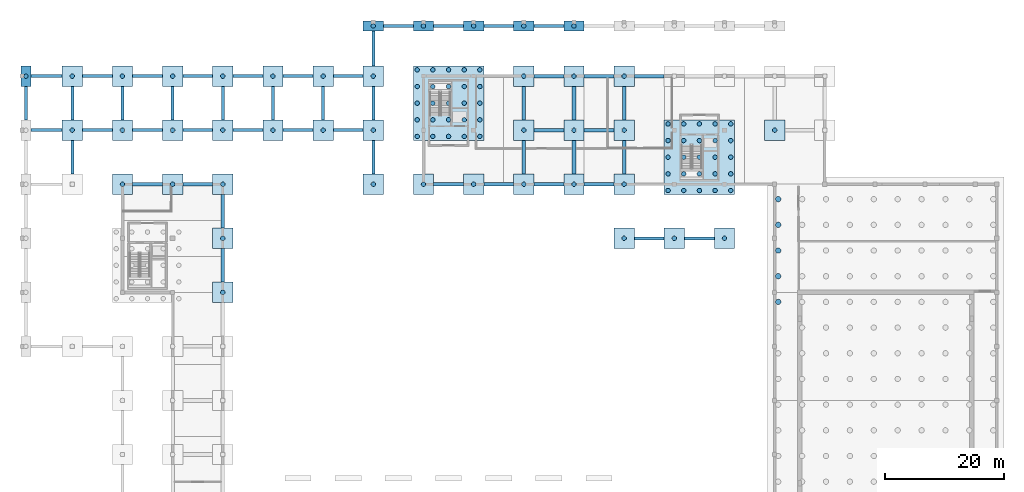
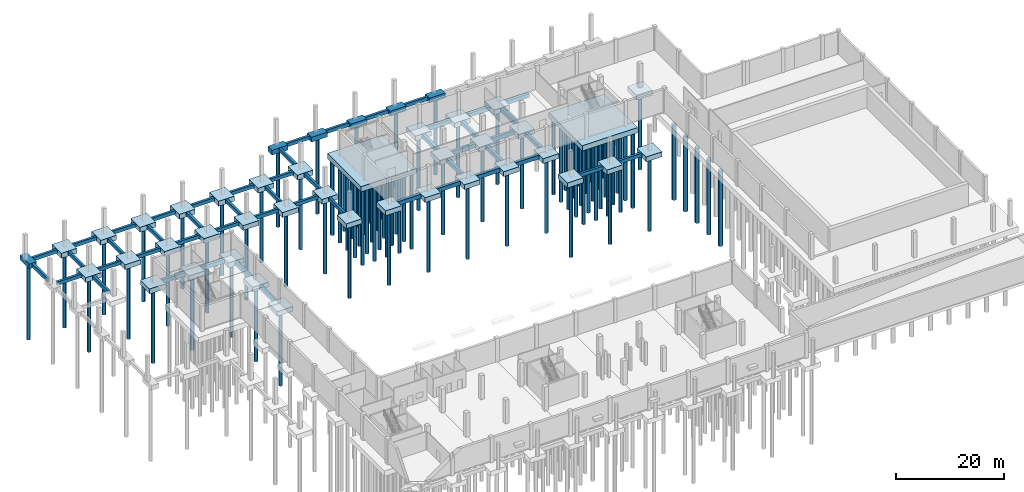
# One storey, part 3 of 18: 96 piles, 93 footings.
"""IFC4 building model written with IfcOpenShell, lengths in metres."""

from ifc_helpers import new_model, si_unit, direction, frame, origin, origin_2d, place, context, subcontext, project, spatial, rectangle, circle, extrude, material, layer, layer_set, material_profile, profile_set, type_object, element, save


model = new_model("IFC4")

# Units and contexts
model_context = context("Model", 3, precision=1e-05, world=origin(), true_north=direction((0.0, 1.0)))
body_context = subcontext(model_context, "Body", "Model", "MODEL_VIEW")
ifc_project = project(units=[si_unit("LENGTHUNIT", "METRE"), si_unit("AREAUNIT", "SQUARE_METRE"), si_unit("VOLUMEUNIT", "CUBIC_METRE"), si_unit("PLANEANGLEUNIT", "RADIAN"), si_unit("MASSUNIT", "GRAM", prefix="KILO")], contexts=[model_context])

# Site, building, storey
site_placement = place(None, origin())
site = spatial("IfcSite", under=ifc_project, at=site_placement, CompositionType="ELEMENT")
building_placement = place(site_placement, origin())
building = spatial("IfcBuilding", under=site, at=building_placement, Name="Khurvash Pelagic Aquarium", CompositionType="ELEMENT")
storey_placement = place(building_placement, frame((0.0, 0.0, -5.39990234375)))
storey = spatial("IfcBuildingStorey", under=building, at=storey_placement, Name="B1", CompositionType="ELEMENT", Elevation=-5.39990234375)

# Footings
ifc_material = material(Name="Concrete C35/45", Category="concrete")
ifc_layer_1 = layer(ifc_material, 0.800048828125)
ifc_layer_set_1 = layer_set([ifc_layer_1], Name="Concrete C35/45")
footing_type_1 = type_object("IfcFootingType", Name="GB-01", PredefinedType="FOOTING_BEAM", material=ifc_layer_set_1)
for number, where, z_axis, x_axis, name in (
    (1, (105.0, 75.0, -1.2001953125), (0.0, 0.0, 1.0), (1.0, 0.0, 0.0), "Reinforced Concrete Ground Tie Beam GB-01 077"),
    (2, (113.39990234375, 75.0, -1.2001953125), (0.0, 0.0, 1.0), (1.0, 0.0, 0.0), "Reinforced Concrete Ground Tie Beam GB-01 078"),
):
    element("IfcFooting", number, at=place(storey_placement, frame(where, z_axis=z_axis, x_axis=x_axis)), inside=storey, type_object=footing_type_1, Name=name, PredefinedType="FOOTING_BEAM", context=body_context, shape_type="SweptSolid", body=[
        extrude(rectangle(XDim=4.99609375, YDim=0.5, at=origin_2d()), origin(), (0.0, 0.0, 1.0), 0.800048828125),
    ])
footing_1_placement = place(storey_placement, frame((4.074951171875, 93.10009765625, -1.2001953125), z_axis=(0.0, 0.0, 1.0), x_axis=(1.0, 0.0, 0.0)))
element("IfcFooting", 3, at=footing_1_placement, inside=storey, type_object=footing_type_1, Name="Reinforced Concrete Ground Tie Beam GB-01 080", PredefinedType="FOOTING_BEAM", context=body_context, shape_type="SweptSolid", body=[
    extrude(rectangle(XDim=5.24609375, YDim=0.5, at=origin_2d()), origin(), (0.0, 0.0, 1.0), 0.800048828125),
])
for number, where, z_axis, x_axis, name in (
    (4, (12.60009765625, 93.10009765625, -1.2001953125), (0.0, 0.0, 1.0), (1.0, 0.0, 0.0), "Reinforced Concrete Ground Tie Beam GB-01 081"),
    (5, (21.0, 93.10009765625, -1.2001953125), (0.0, 0.0, 1.0), (1.0, 0.0, 0.0), "Reinforced Concrete Ground Tie Beam GB-01 082"),
    (6, (29.39990234375, 93.10009765625, -1.2001953125), (0.0, 0.0, 1.0), (1.0, 0.0, 0.0), "Reinforced Concrete Ground Tie Beam GB-01 083"),
    (7, (37.800048828125, 93.10009765625, -1.2001953125), (0.0, 0.0, 1.0), (1.0, 0.0, 0.0), "Reinforced Concrete Ground Tie Beam GB-01 084"),
    (8, (46.199951171875, 93.10009765625, -1.2001953125), (0.0, 0.0, 1.0), (1.0, 0.0, 0.0), "Reinforced Concrete Ground Tie Beam GB-01 085"),
    (9, (54.60009765625, 93.10009765625, -1.2001953125), (0.0, 0.0, 1.0), (1.0, 0.0, 0.0), "Reinforced Concrete Ground Tie Beam GB-01 086"),
):
    element("IfcFooting", number, at=place(storey_placement, frame(where, z_axis=z_axis, x_axis=x_axis)), inside=storey, type_object=footing_type_1, Name=name, PredefinedType="FOOTING_BEAM", context=body_context, shape_type="SweptSolid", body=[
        extrude(rectangle(XDim=4.99609375, YDim=0.5, at=origin_2d()), origin(), (0.0, 0.0, 1.0), 0.800048828125),
    ])
footing_2_placement = place(storey_placement, frame((4.074951171875, 102.14990234375, -1.2001953125), z_axis=(0.0, 0.0, 1.0), x_axis=(1.0, 0.0, 0.0)))
element("IfcFooting", 10, at=footing_2_placement, inside=storey, type_object=footing_type_1, Name="Reinforced Concrete Ground Tie Beam GB-01 087", PredefinedType="FOOTING_BEAM", context=body_context, shape_type="SweptSolid", body=[
    extrude(rectangle(XDim=5.24609375, YDim=0.5, at=origin_2d()), origin(), (0.0, 0.0, 1.0), 0.800048828125),
])
for number, where, z_axis, x_axis, name in (
    (11, (12.60009765625, 102.14990234375, -1.2001953125), (0.0, 0.0, 1.0), (1.0, 0.0, 0.0), "Reinforced Concrete Ground Tie Beam GB-01 088"),
    (12, (21.0, 102.14990234375, -1.2001953125), (0.0, 0.0, 1.0), (1.0, 0.0, 0.0), "Reinforced Concrete Ground Tie Beam GB-01 089"),
    (13, (29.39990234375, 102.14990234375, -1.2001953125), (0.0, 0.0, 1.0), (1.0, 0.0, 0.0), "Reinforced Concrete Ground Tie Beam GB-01 090"),
    (14, (37.800048828125, 102.14990234375, -1.2001953125), (0.0, 0.0, 1.0), (1.0, 0.0, 0.0), "Reinforced Concrete Ground Tie Beam GB-01 091"),
    (15, (46.199951171875, 102.14990234375, -1.2001953125), (0.0, 0.0, 1.0), (1.0, 0.0, 0.0), "Reinforced Concrete Ground Tie Beam GB-01 092"),
    (16, (54.60009765625, 102.14990234375, -1.2001953125), (0.0, 0.0, 1.0), (1.0, 0.0, 0.0), "Reinforced Concrete Ground Tie Beam GB-01 093"),
    (17, (63.0, 110.550048828125, -1.2001953125), (0.0, 0.0, 1.0), (1.0, 0.0, 0.0), "Reinforced Concrete Ground Tie Beam GB-01 094"),
    (18, (71.39990234375, 110.550048828125, -1.2001953125), (0.0, 0.0, 1.0), (1.0, 0.0, 0.0), "Reinforced Concrete Ground Tie Beam GB-01 095"),
    (19, (79.800048828125, 110.550048828125, -1.2001953125), (0.0, 0.0, 1.0), (1.0, 0.0, 0.0), "Reinforced Concrete Ground Tie Beam GB-01 096"),
    (20, (88.199951171875, 110.550048828125, -1.2001953125), (0.0, 0.0, 1.0), (1.0, 0.0, 0.0), "Reinforced Concrete Ground Tie Beam GB-01 097"),
):
    element("IfcFooting", number, at=place(storey_placement, frame(where, z_axis=z_axis, x_axis=x_axis)), inside=storey, type_object=footing_type_1, Name=name, PredefinedType="FOOTING_BEAM", context=body_context, shape_type="SweptSolid", body=[
        extrude(rectangle(XDim=4.99609375, YDim=0.5, at=origin_2d()), origin(), (0.0, 0.0, 1.0), 0.800048828125),
    ])
for number, where, z_axis, x_axis, name in (
    (21, (0.64990234375, 97.625, -1.2001953125), (0.0, 0.0, 1.0), (0.0, 1.0, 0.0), "Reinforced Concrete Ground Tie Beam GB-01 106"),
    (22, (8.39990234375, 88.574951171875, -1.2001953125), (0.0, 0.0, 1.0), (0.0, 1.0, 0.0), "Reinforced Concrete Ground Tie Beam GB-01 107"),
    (23, (8.39990234375, 97.625, -1.2001953125), (0.0, 0.0, 1.0), (0.0, 1.0, 0.0), "Reinforced Concrete Ground Tie Beam GB-01 108"),
    (24, (16.800048828125, 97.625, -1.2001953125), (0.0, 0.0, 1.0), (0.0, 1.0, 0.0), "Reinforced Concrete Ground Tie Beam GB-01 112"),
    (25, (25.199951171875, 97.625, -1.2001953125), (0.0, 0.0, 1.0), (0.0, 1.0, 0.0), "Reinforced Concrete Ground Tie Beam GB-01 113"),
    (26, (33.60009765625, 97.625, -1.2001953125), (0.0, 0.0, 1.0), (0.0, 1.0, 0.0), "Reinforced Concrete Ground Tie Beam GB-01 114"),
    (27, (42.0, 97.625, -1.2001953125), (0.0, 0.0, 1.0), (0.0, 1.0, 0.0), "Reinforced Concrete Ground Tie Beam GB-01 115"),
    (28, (50.39990234375, 97.625, -1.2001953125), (0.0, 0.0, 1.0), (0.0, 1.0, 0.0), "Reinforced Concrete Ground Tie Beam GB-01 116"),
    (29, (58.800048828125, 88.574951171875, -1.2001953125), (0.0, 0.0, 1.0), (0.0, 1.0, 0.0), "Reinforced Concrete Ground Tie Beam GB-01 117"),
    (30, (58.800048828125, 97.625, -1.2001953125), (0.0, 0.0, 1.0), (0.0, 1.0, 0.0), "Reinforced Concrete Ground Tie Beam GB-01 118"),
):
    element("IfcFooting", number, at=place(storey_placement, frame(where, z_axis=z_axis, x_axis=x_axis)), inside=storey, type_object=footing_type_1, Name=name, PredefinedType="FOOTING_BEAM", context=body_context, shape_type="SweptSolid", body=[
        extrude(rectangle(XDim=5.64599609375, YDim=0.5, at=origin_2d()), origin(), (0.0, 0.0, 1.0), 0.800048828125),
    ])
footing_3_placement = place(storey_placement, frame((58.800048828125, 106.800048828125, -1.2001953125), z_axis=(0.0, 0.0, 1.0), x_axis=(0.0, 1.0, 0.0)))
element("IfcFooting", 31, at=footing_3_placement, inside=storey, type_object=footing_type_1, Name="Reinforced Concrete Ground Tie Beam GB-01 119", PredefinedType="FOOTING_BEAM", context=body_context, shape_type="SweptSolid", body=[
    extrude(rectangle(XDim=5.89599609375, YDim=0.5, at=origin_2d()), origin(), (0.0, 0.0, 1.0), 0.800048828125),
])
ifc_layer_2 = layer(ifc_material, 0.89990234375)
ifc_layer_set_2 = layer_set([ifc_layer_2], Name="Concrete C35/45")
footing_type_2 = type_object("IfcFootingType", Name="GB-02", PredefinedType="FOOTING_BEAM", material=ifc_layer_set_2)
for number, where, z_axis, x_axis, name in (
    (32, (21.0, 84.050048828125, -1.300048828125), (0.0, 0.0, 1.0), (1.0, 0.0, 0.0), "Reinforced Concrete Ground Tie Beam GB-02 028"),
    (33, (29.39990234375, 84.050048828125, -1.300048828125), (0.0, 0.0, 1.0), (1.0, 0.0, 0.0), "Reinforced Concrete Ground Tie Beam GB-02 029"),
    (34, (71.39990234375, 84.050048828125, -1.300048828125), (0.0, 0.0, 1.0), (1.0, 0.0, 0.0), "Reinforced Concrete Ground Tie Beam GB-02 030"),
    (35, (79.800048828125, 84.050048828125, -1.300048828125), (0.0, 0.0, 1.0), (1.0, 0.0, 0.0), "Reinforced Concrete Ground Tie Beam GB-02 031"),
    (36, (88.199951171875, 84.050048828125, -1.300048828125), (0.0, 0.0, 1.0), (1.0, 0.0, 0.0), "Reinforced Concrete Ground Tie Beam GB-02 032"),
    (37, (96.60009765625, 84.050048828125, -1.300048828125), (0.0, 0.0, 1.0), (1.0, 0.0, 0.0), "Reinforced Concrete Ground Tie Beam GB-02 033"),
    (38, (88.199951171875, 93.10009765625, -1.300048828125), (0.0, 0.0, 1.0), (1.0, 0.0, 0.0), "Reinforced Concrete Ground Tie Beam GB-02 034"),
    (39, (96.60009765625, 93.10009765625, -1.300048828125), (0.0, 0.0, 1.0), (1.0, 0.0, 0.0), "Reinforced Concrete Ground Tie Beam GB-02 035"),
    (40, (88.199951171875, 102.14990234375, -1.300048828125), (0.0, 0.0, 1.0), (1.0, 0.0, 0.0), "Reinforced Concrete Ground Tie Beam GB-02 037"),
    (41, (96.60009765625, 102.14990234375, -1.300048828125), (0.0, 0.0, 1.0), (1.0, 0.0, 0.0), "Reinforced Concrete Ground Tie Beam GB-02 038"),
    (42, (105.0, 102.14990234375, -1.300048828125), (0.0, 0.0, 1.0), (1.0, 0.0, 0.0), "Reinforced Concrete Ground Tie Beam GB-02 039"),
):
    element("IfcFooting", number, at=place(storey_placement, frame(where, z_axis=z_axis, x_axis=x_axis)), inside=storey, type_object=footing_type_2, Name=name, PredefinedType="FOOTING_BEAM", context=body_context, shape_type="SweptSolid", body=[
        extrude(rectangle(XDim=4.99609375, YDim=0.60009765625, at=origin_2d()), origin(), (0.0, 0.0, 1.0), 0.89990234375),
    ])
for number, where, z_axis, x_axis, name in (
    (43, (33.60009765625, 70.47509765625, -1.300048828125), (0.0, 0.0, 1.0), (0.0, 1.0, 0.0), "Reinforced Concrete Ground Tie Beam GB-02 050"),
    (44, (33.60009765625, 79.52490234375, -1.300048828125), (0.0, 0.0, 1.0), (0.0, 1.0, 0.0), "Reinforced Concrete Ground Tie Beam GB-02 051"),
    (45, (84.0, 88.574951171875, -1.300048828125), (0.0, 0.0, 1.0), (0.0, 1.0, 0.0), "Reinforced Concrete Ground Tie Beam GB-02 064"),
    (46, (84.0, 97.625, -1.300048828125), (0.0, 0.0, 1.0), (0.0, 1.0, 0.0), "Reinforced Concrete Ground Tie Beam GB-02 065"),
    (47, (92.39990234375, 88.574951171875, -1.300048828125), (0.0, 0.0, 1.0), (0.0, 1.0, 0.0), "Reinforced Concrete Ground Tie Beam GB-02 066"),
    (48, (92.39990234375, 97.625, -1.300048828125), (0.0, 0.0, 1.0), (0.0, 1.0, 0.0), "Reinforced Concrete Ground Tie Beam GB-02 067"),
    (49, (100.800048828125, 88.574951171875, -1.300048828125), (0.0, 0.0, 1.0), (0.0, 1.0, 0.0), "Reinforced Concrete Ground Tie Beam GB-02 068"),
    (50, (100.800048828125, 97.625, -1.300048828125), (0.0, 0.0, 1.0), (0.0, 1.0, 0.0), "Reinforced Concrete Ground Tie Beam GB-02 069"),
):
    element("IfcFooting", number, at=place(storey_placement, frame(where, z_axis=z_axis, x_axis=x_axis)), inside=storey, type_object=footing_type_2, Name=name, PredefinedType="FOOTING_BEAM", context=body_context, shape_type="SweptSolid", body=[
        extrude(rectangle(XDim=5.64599609375, YDim=0.60009765625, at=origin_2d()), origin(), (0.0, 0.0, 1.0), 0.89990234375),
    ])

# Piles
ifc_material_profile_1 = material_profile(ifc_material, circle(Radius=0.375, at=origin_2d()), Name="PILE750")
ifc_profile_set_1 = profile_set([ifc_material_profile_1], Name="Concrete C35/45")
pile_type_1 = type_object("IfcPileType", Name="P-750", PredefinedType="BORED", material=ifc_profile_set_1)
for number, where, z_axis, x_axis, name in (
    (51, (66.14990234375, 92.050048828125, -1.5), (0.0, 0.0, -1.0), (1.0, 0.0, 0.0), "Bored Pile P-750 0226"),
    (52, (66.14990234375, 94.8369140625, -1.5), (0.0, 0.0, -1.0), (1.0, 0.0, 0.0), "Bored Pile P-750 0227"),
    (53, (66.14990234375, 97.625, -1.5), (0.0, 0.0, -1.0), (1.0, 0.0, 0.0), "Bored Pile P-750 0228"),
    (54, (66.14990234375, 100.412109375, -1.5), (0.0, 0.0, -1.0), (1.0, 0.0, 0.0), "Bored Pile P-750 0229"),
    (55, (66.14990234375, 103.199951171875, -1.5), (0.0, 0.0, -1.0), (1.0, 0.0, 0.0), "Bored Pile P-750 0230"),
    (56, (68.77490234375, 92.050048828125, -1.5), (0.0, 0.0, -1.0), (1.0, 0.0, 0.0), "Bored Pile P-750 0231"),
    (57, (68.77490234375, 94.8369140625, -1.5), (0.0, 0.0, -1.0), (1.0, 0.0, 0.0), "Bored Pile P-750 0232"),
    (58, (68.77490234375, 97.625, -1.5), (0.0, 0.0, -1.0), (1.0, 0.0, 0.0), "Bored Pile P-750 0233"),
    (59, (68.77490234375, 100.412109375, -1.5), (0.0, 0.0, -1.0), (1.0, 0.0, 0.0), "Bored Pile P-750 0234"),
    (60, (68.77490234375, 103.199951171875, -1.5), (0.0, 0.0, -1.0), (1.0, 0.0, 0.0), "Bored Pile P-750 0235"),
    (61, (71.39990234375, 92.050048828125, -1.5), (0.0, 0.0, -1.0), (1.0, 0.0, 0.0), "Bored Pile P-750 0236"),
    (62, (71.39990234375, 94.8369140625, -1.5), (0.0, 0.0, -1.0), (1.0, 0.0, 0.0), "Bored Pile P-750 0237"),
    (63, (71.39990234375, 97.625, -1.5), (0.0, 0.0, -1.0), (1.0, 0.0, 0.0), "Bored Pile P-750 0238"),
    (64, (71.39990234375, 100.412109375, -1.5), (0.0, 0.0, -1.0), (1.0, 0.0, 0.0), "Bored Pile P-750 0239"),
    (65, (71.39990234375, 103.199951171875, -1.5), (0.0, 0.0, -1.0), (1.0, 0.0, 0.0), "Bored Pile P-750 0240"),
    (66, (74.02490234375, 92.050048828125, -1.5), (0.0, 0.0, -1.0), (1.0, 0.0, 0.0), "Bored Pile P-750 0241"),
    (67, (74.02490234375, 94.8369140625, -1.5), (0.0, 0.0, -1.0), (1.0, 0.0, 0.0), "Bored Pile P-750 0242"),
    (68, (74.02490234375, 97.625, -1.5), (0.0, 0.0, -1.0), (1.0, 0.0, 0.0), "Bored Pile P-750 0243"),
    (69, (74.02490234375, 100.412109375, -1.5), (0.0, 0.0, -1.0), (1.0, 0.0, 0.0), "Bored Pile P-750 0244"),
    (70, (74.02490234375, 103.199951171875, -1.5), (0.0, 0.0, -1.0), (1.0, 0.0, 0.0), "Bored Pile P-750 0245"),
    (71, (76.64990234375, 92.050048828125, -1.5), (0.0, 0.0, -1.0), (1.0, 0.0, 0.0), "Bored Pile P-750 0246"),
    (72, (76.64990234375, 94.8369140625, -1.5), (0.0, 0.0, -1.0), (1.0, 0.0, 0.0), "Bored Pile P-750 0247"),
    (73, (76.64990234375, 97.625, -1.5), (0.0, 0.0, -1.0), (1.0, 0.0, 0.0), "Bored Pile P-750 0248"),
    (74, (76.64990234375, 100.412109375, -1.5), (0.0, 0.0, -1.0), (1.0, 0.0, 0.0), "Bored Pile P-750 0249"),
    (75, (76.64990234375, 103.199951171875, -1.5), (0.0, 0.0, -1.0), (1.0, 0.0, 0.0), "Bored Pile P-750 0250"),
    (76, (108.14990234375, 83.0, -1.5), (0.0, 0.0, -1.0), (1.0, 0.0, 0.0), "Bored Pile P-750 0276"),
    (77, (108.14990234375, 85.787109375, -1.5), (0.0, 0.0, -1.0), (1.0, 0.0, 0.0), "Bored Pile P-750 0277"),
    (78, (108.14990234375, 88.574951171875, -1.5), (0.0, 0.0, -1.0), (1.0, 0.0, 0.0), "Bored Pile P-750 0278"),
    (79, (108.14990234375, 91.362060546875, -1.5), (0.0, 0.0, -1.0), (1.0, 0.0, 0.0), "Bored Pile P-750 0279"),
    (80, (108.14990234375, 94.14990234375, -1.5), (0.0, 0.0, -1.0), (1.0, 0.0, 0.0), "Bored Pile P-750 0280"),
    (81, (110.77490234375, 83.0, -1.5), (0.0, 0.0, -1.0), (1.0, 0.0, 0.0), "Bored Pile P-750 0281"),
    (82, (110.77490234375, 85.787109375, -1.5), (0.0, 0.0, -1.0), (1.0, 0.0, 0.0), "Bored Pile P-750 0282"),
    (83, (110.77490234375, 88.574951171875, -1.5), (0.0, 0.0, -1.0), (1.0, 0.0, 0.0), "Bored Pile P-750 0283"),
    (84, (110.77490234375, 91.362060546875, -1.5), (0.0, 0.0, -1.0), (1.0, 0.0, 0.0), "Bored Pile P-750 0284"),
    (85, (110.77490234375, 94.14990234375, -1.5), (0.0, 0.0, -1.0), (1.0, 0.0, 0.0), "Bored Pile P-750 0285"),
    (86, (113.39990234375, 83.0, -1.5), (0.0, 0.0, -1.0), (1.0, 0.0, 0.0), "Bored Pile P-750 0286"),
    (87, (113.39990234375, 85.787109375, -1.5), (0.0, 0.0, -1.0), (1.0, 0.0, 0.0), "Bored Pile P-750 0287"),
    (88, (113.39990234375, 88.574951171875, -1.5), (0.0, 0.0, -1.0), (1.0, 0.0, 0.0), "Bored Pile P-750 0288"),
    (89, (113.39990234375, 91.362060546875, -1.5), (0.0, 0.0, -1.0), (1.0, 0.0, 0.0), "Bored Pile P-750 0289"),
    (90, (113.39990234375, 94.14990234375, -1.5), (0.0, 0.0, -1.0), (1.0, 0.0, 0.0), "Bored Pile P-750 0290"),
    (91, (116.02490234375, 83.0, -1.5), (0.0, 0.0, -1.0), (1.0, 0.0, 0.0), "Bored Pile P-750 0291"),
    (92, (116.02490234375, 85.787109375, -1.5), (0.0, 0.0, -1.0), (1.0, 0.0, 0.0), "Bored Pile P-750 0292"),
    (93, (116.02490234375, 88.574951171875, -1.5), (0.0, 0.0, -1.0), (1.0, 0.0, 0.0), "Bored Pile P-750 0293"),
    (94, (116.02490234375, 91.362060546875, -1.5), (0.0, 0.0, -1.0), (1.0, 0.0, 0.0), "Bored Pile P-750 0294"),
    (95, (116.02490234375, 94.14990234375, -1.5), (0.0, 0.0, -1.0), (1.0, 0.0, 0.0), "Bored Pile P-750 0295"),
    (96, (118.64990234375, 83.0, -1.5), (0.0, 0.0, -1.0), (1.0, 0.0, 0.0), "Bored Pile P-750 0296"),
    (97, (118.64990234375, 85.787109375, -1.5), (0.0, 0.0, -1.0), (1.0, 0.0, 0.0), "Bored Pile P-750 0297"),
    (98, (118.64990234375, 88.574951171875, -1.5), (0.0, 0.0, -1.0), (1.0, 0.0, 0.0), "Bored Pile P-750 0298"),
    (99, (118.64990234375, 91.362060546875, -1.5), (0.0, 0.0, -1.0), (1.0, 0.0, 0.0), "Bored Pile P-750 0299"),
    (100, (118.64990234375, 94.14990234375, -1.5), (0.0, 0.0, -1.0), (1.0, 0.0, 0.0), "Bored Pile P-750 0300"),
):
    element("IfcPile", number, at=place(storey_placement, frame(where, z_axis=z_axis, x_axis=x_axis)), inside=storey, type_object=pile_type_1, Name=name, PredefinedType="BORED", context=body_context, shape_type="SweptSolid", body=[
        extrude(circle(Radius=0.375, at=origin_2d()), origin(), (0.0, 0.0, 1.0), 17.10009765625),
    ])
for number, where, z_axis, x_axis, name in (
    (101, (16.800048828125, 84.050048828125, -1.400146484375), (0.0, 0.0, -1.0), (1.0, 0.0, 0.0), "Bored Pile P-750 0301"),
    (102, (25.199951171875, 84.050048828125, -1.400146484375), (0.0, 0.0, -1.0), (1.0, 0.0, 0.0), "Bored Pile P-750 0311"),
    (103, (33.60009765625, 65.949951171875, -1.400146484375), (0.0, 0.0, -1.0), (1.0, 0.0, 0.0), "Bored Pile P-750 0318"),
    (104, (33.60009765625, 75.0, -1.400146484375), (0.0, 0.0, -1.0), (1.0, 0.0, 0.0), "Bored Pile P-750 0319"),
    (105, (33.60009765625, 84.050048828125, -1.400146484375), (0.0, 0.0, -1.0), (1.0, 0.0, 0.0), "Bored Pile P-750 0320"),
    (106, (67.199951171875, 84.050048828125, -1.400146484375), (0.0, 0.0, -1.0), (1.0, 0.0, 0.0), "Bored Pile P-750 0349"),
    (107, (75.60009765625, 84.050048828125, -1.400146484375), (0.0, 0.0, -1.0), (1.0, 0.0, 0.0), "Bored Pile P-750 0364"),
    (108, (84.0, 84.050048828125, -1.400146484375), (0.0, 0.0, -1.0), (1.0, 0.0, 0.0), "Bored Pile P-750 0370"),
    (109, (84.0, 93.10009765625, -1.400146484375), (0.0, 0.0, -1.0), (1.0, 0.0, 0.0), "Bored Pile P-750 0371"),
    (110, (84.0, 102.14990234375, -1.400146484375), (0.0, 0.0, -1.0), (1.0, 0.0, 0.0), "Bored Pile P-750 0372"),
    (111, (92.39990234375, 84.050048828125, -1.400146484375), (0.0, 0.0, -1.0), (1.0, 0.0, 0.0), "Bored Pile P-750 0379"),
    (112, (92.39990234375, 93.10009765625, -1.400146484375), (0.0, 0.0, -1.0), (1.0, 0.0, 0.0), "Bored Pile P-750 0380"),
    (113, (92.39990234375, 102.14990234375, -1.400146484375), (0.0, 0.0, -1.0), (1.0, 0.0, 0.0), "Bored Pile P-750 0381"),
    (114, (100.800048828125, 84.050048828125, -1.400146484375), (0.0, 0.0, -1.0), (1.0, 0.0, 0.0), "Bored Pile P-750 0385"),
    (115, (100.800048828125, 93.10009765625, -1.400146484375), (0.0, 0.0, -1.0), (1.0, 0.0, 0.0), "Bored Pile P-750 0386"),
    (116, (100.800048828125, 102.14990234375, -1.400146484375), (0.0, 0.0, -1.0), (1.0, 0.0, 0.0), "Bored Pile P-750 0387"),
    (117, (126.0, 93.10009765625, -1.400146484375), (0.0, 0.0, -1.0), (1.0, 0.0, 0.0), "Bored Pile P-750 0404"),
    (118, (0.64990234375, 102.14990234375, -1.400146484375), (0.0, 0.0, -1.0), (1.0, 0.0, 0.0), "Bored Pile P-750 0413"),
    (119, (8.39990234375, 93.10009765625, -1.400146484375), (0.0, 0.0, -1.0), (1.0, 0.0, 0.0), "Bored Pile P-750 0416"),
    (120, (8.39990234375, 102.14990234375, -1.400146484375), (0.0, 0.0, -1.0), (1.0, 0.0, 0.0), "Bored Pile P-750 0417"),
    (121, (16.800048828125, 93.10009765625, -1.400146484375), (0.0, 0.0, -1.0), (1.0, 0.0, 0.0), "Bored Pile P-750 0422"),
    (122, (16.800048828125, 102.14990234375, -1.400146484375), (0.0, 0.0, -1.0), (1.0, 0.0, 0.0), "Bored Pile P-750 0423"),
    (123, (25.199951171875, 93.10009765625, -1.400146484375), (0.0, 0.0, -1.0), (1.0, 0.0, 0.0), "Bored Pile P-750 0424"),
    (124, (25.199951171875, 102.14990234375, -1.400146484375), (0.0, 0.0, -1.0), (1.0, 0.0, 0.0), "Bored Pile P-750 0425"),
    (125, (33.60009765625, 93.10009765625, -1.400146484375), (0.0, 0.0, -1.0), (1.0, 0.0, 0.0), "Bored Pile P-750 0426"),
    (126, (33.60009765625, 102.14990234375, -1.400146484375), (0.0, 0.0, -1.0), (1.0, 0.0, 0.0), "Bored Pile P-750 0427"),
    (127, (42.0, 93.10009765625, -1.400146484375), (0.0, 0.0, -1.0), (1.0, 0.0, 0.0), "Bored Pile P-750 0428"),
    (128, (42.0, 102.14990234375, -1.400146484375), (0.0, 0.0, -1.0), (1.0, 0.0, 0.0), "Bored Pile P-750 0429"),
    (129, (50.39990234375, 93.10009765625, -1.400146484375), (0.0, 0.0, -1.0), (1.0, 0.0, 0.0), "Bored Pile P-750 0430"),
    (130, (50.39990234375, 102.14990234375, -1.400146484375), (0.0, 0.0, -1.0), (1.0, 0.0, 0.0), "Bored Pile P-750 0431"),
    (131, (58.800048828125, 84.050048828125, -1.400146484375), (0.0, 0.0, -1.0), (1.0, 0.0, 0.0), "Bored Pile P-750 0432"),
    (132, (58.800048828125, 93.10009765625, -1.400146484375), (0.0, 0.0, -1.0), (1.0, 0.0, 0.0), "Bored Pile P-750 0433"),
    (133, (58.800048828125, 102.14990234375, -1.400146484375), (0.0, 0.0, -1.0), (1.0, 0.0, 0.0), "Bored Pile P-750 0434"),
    (134, (58.800048828125, 110.550048828125, -1.400146484375), (0.0, 0.0, -1.0), (1.0, 0.0, 0.0), "Bored Pile P-750 0435"),
    (135, (67.199951171875, 110.550048828125, -1.400146484375), (0.0, 0.0, -1.0), (1.0, 0.0, 0.0), "Bored Pile P-750 0436"),
    (136, (75.60009765625, 110.550048828125, -1.400146484375), (0.0, 0.0, -1.0), (1.0, 0.0, 0.0), "Bored Pile P-750 0437"),
    (137, (84.0, 110.550048828125, -1.400146484375), (0.0, 0.0, -1.0), (1.0, 0.0, 0.0), "Bored Pile P-750 0438"),
    (138, (92.39990234375, 110.550048828125, -1.400146484375), (0.0, 0.0, -1.0), (1.0, 0.0, 0.0), "Bored Pile P-750 0439"),
    (139, (100.800048828125, 75.0, -1.400146484375), (0.0, 0.0, -1.0), (1.0, 0.0, 0.0), "Bored Pile P-750 0440"),
    (140, (109.199951171875, 75.0, -1.400146484375), (0.0, 0.0, -1.0), (1.0, 0.0, 0.0), "Bored Pile P-750 0442"),
    (141, (117.60009765625, 75.0, -1.400146484375), (0.0, 0.0, -1.0), (1.0, 0.0, 0.0), "Bored Pile P-750 0446"),
):
    element("IfcPile", number, at=place(storey_placement, frame(where, z_axis=z_axis, x_axis=x_axis)), inside=storey, type_object=pile_type_1, Name=name, PredefinedType="BORED", context=body_context, shape_type="SweptSolid", body=[
        extrude(circle(Radius=0.375, at=origin_2d()), origin(), (0.0, 0.0, 1.0), 17.199951171875),
    ])
ifc_material_profile_2 = material_profile(ifc_material, circle(Radius=0.449951171875, at=origin_2d()), Name="PILE900")
ifc_profile_set_2 = profile_set([ifc_material_profile_2], Name="Concrete C35/45")
pile_type_2 = type_object("IfcPileType", Name="P-900", PredefinedType="BORED", material=ifc_profile_set_2)
for number, where, z_axis, x_axis, name in (
    (142, (126.60009765625, 64.35009765625, -1.650146484375), (0.0, 0.0, -1.0), (1.0, 0.0, 0.0), "Bored Pile P-900 0011"),
    (143, (126.60009765625, 68.64990234375, -1.650146484375), (0.0, 0.0, -1.0), (1.0, 0.0, 0.0), "Bored Pile P-900 0012"),
    (144, (126.60009765625, 72.949951171875, -1.650146484375), (0.0, 0.0, -1.0), (1.0, 0.0, 0.0), "Bored Pile P-900 0013"),
    (145, (126.60009765625, 77.25, -1.650146484375), (0.0, 0.0, -1.0), (1.0, 0.0, 0.0), "Bored Pile P-900 0014"),
    (146, (126.60009765625, 81.550048828125, -1.650146484375), (0.0, 0.0, -1.0), (1.0, 0.0, 0.0), "Bored Pile P-900 0015"),
):
    element("IfcPile", number, at=place(storey_placement, frame(where, z_axis=z_axis, x_axis=x_axis)), inside=storey, type_object=pile_type_2, Name=name, PredefinedType="BORED", context=body_context, shape_type="SweptSolid", body=[
        extrude(circle(Radius=0.449951171875, at=origin_2d()), origin(), (0.0, 0.0, 1.0), 16.949951171875),
    ])

# Footings
ifc_layer_3 = layer(ifc_material, 1.199951171875)
ifc_layer_set_3 = layer_set([ifc_layer_3], Name="Concrete C35/45")
footing_type_3 = type_object("IfcFootingType", Name="PC-02", PredefinedType="PILE_CAP", material=ifc_layer_set_3)
for number, where, z_axis, x_axis, name in (
    (147, (71.39990234375, 97.625, -1.60009765625), (0.0, 0.0, 1.0), (1.0, 0.0, 0.0), "Reinforced Concrete Pile Cap PC-02 004"),
    (148, (113.39990234375, 88.574951171875, -1.60009765625), (0.0, 0.0, 1.0), (1.0, 0.0, 0.0), "Reinforced Concrete Pile Cap PC-02 006"),
):
    element("IfcFooting", number, at=place(storey_placement, frame(where, z_axis=z_axis, x_axis=x_axis)), inside=storey, type_object=footing_type_3, Name=name, PredefinedType="PILE_CAP", context=body_context, shape_type="SweptSolid", body=[
        extrude(rectangle(XDim=11.800048828125, YDim=12.449951171875, at=origin_2d()), origin(), (0.0, 0.0, 1.0), 1.199951171875),
    ])
ifc_layer_4 = layer(ifc_material, 1.10009765625)
ifc_layer_set_4 = layer_set([ifc_layer_4], Name="Concrete C35/45")
footing_type_4 = type_object("IfcFootingType", Name="PC-03", PredefinedType="PILE_CAP", material=ifc_layer_set_4)
for number, where, z_axis, x_axis, name in (
    (149, (16.800048828125, 84.050048828125, -1.500244140625), (0.0, 0.0, 1.0), (1.0, 0.0, 0.0), "Reinforced Concrete Pile Cap PC-03 007"),
    (150, (25.199951171875, 84.050048828125, -1.500244140625), (0.0, 0.0, 1.0), (1.0, 0.0, 0.0), "Reinforced Concrete Pile Cap PC-03 013"),
    (151, (33.60009765625, 65.949951171875, -1.500244140625), (0.0, 0.0, 1.0), (1.0, 0.0, 0.0), "Reinforced Concrete Pile Cap PC-03 019"),
    (152, (33.60009765625, 75.0, -1.500244140625), (0.0, 0.0, 1.0), (1.0, 0.0, 0.0), "Reinforced Concrete Pile Cap PC-03 020"),
    (153, (33.60009765625, 84.050048828125, -1.500244140625), (0.0, 0.0, 1.0), (1.0, 0.0, 0.0), "Reinforced Concrete Pile Cap PC-03 021"),
    (154, (67.199951171875, 84.050048828125, -1.500244140625), (0.0, 0.0, 1.0), (1.0, 0.0, 0.0), "Reinforced Concrete Pile Cap PC-03 034"),
    (155, (75.60009765625, 84.050048828125, -1.500244140625), (0.0, 0.0, 1.0), (1.0, 0.0, 0.0), "Reinforced Concrete Pile Cap PC-03 039"),
    (156, (84.0, 84.050048828125, -1.500244140625), (0.0, 0.0, 1.0), (1.0, 0.0, 0.0), "Reinforced Concrete Pile Cap PC-03 044"),
    (157, (84.0, 93.10009765625, -1.500244140625), (0.0, 0.0, 1.0), (1.0, 0.0, 0.0), "Reinforced Concrete Pile Cap PC-03 045"),
    (158, (84.0, 102.14990234375, -1.500244140625), (0.0, 0.0, 1.0), (1.0, 0.0, 0.0), "Reinforced Concrete Pile Cap PC-03 046"),
    (159, (92.39990234375, 84.050048828125, -1.500244140625), (0.0, 0.0, 1.0), (1.0, 0.0, 0.0), "Reinforced Concrete Pile Cap PC-03 049"),
    (160, (92.39990234375, 93.10009765625, -1.500244140625), (0.0, 0.0, 1.0), (1.0, 0.0, 0.0), "Reinforced Concrete Pile Cap PC-03 050"),
    (161, (92.39990234375, 102.14990234375, -1.500244140625), (0.0, 0.0, 1.0), (1.0, 0.0, 0.0), "Reinforced Concrete Pile Cap PC-03 051"),
    (162, (100.800048828125, 84.050048828125, -1.500244140625), (0.0, 0.0, 1.0), (1.0, 0.0, 0.0), "Reinforced Concrete Pile Cap PC-03 054"),
    (163, (100.800048828125, 93.10009765625, -1.500244140625), (0.0, 0.0, 1.0), (1.0, 0.0, 0.0), "Reinforced Concrete Pile Cap PC-03 055"),
    (164, (100.800048828125, 102.14990234375, -1.500244140625), (0.0, 0.0, 1.0), (1.0, 0.0, 0.0), "Reinforced Concrete Pile Cap PC-03 056"),
    (165, (126.0, 93.10009765625, -1.500244140625), (0.0, 0.0, 1.0), (1.0, 0.0, 0.0), "Reinforced Concrete Pile Cap PC-03 063"),
    (166, (8.39990234375, 93.10009765625, -1.500244140625), (0.0, 0.0, 1.0), (1.0, 0.0, 0.0), "Reinforced Concrete Pile Cap PC-03 075"),
    (167, (8.39990234375, 102.14990234375, -1.500244140625), (0.0, 0.0, 1.0), (1.0, 0.0, 0.0), "Reinforced Concrete Pile Cap PC-03 076"),
    (168, (16.800048828125, 93.10009765625, -1.500244140625), (0.0, 0.0, 1.0), (1.0, 0.0, 0.0), "Reinforced Concrete Pile Cap PC-03 081"),
    (169, (16.800048828125, 102.14990234375, -1.500244140625), (0.0, 0.0, 1.0), (1.0, 0.0, 0.0), "Reinforced Concrete Pile Cap PC-03 082"),
    (170, (25.199951171875, 93.10009765625, -1.500244140625), (0.0, 0.0, 1.0), (1.0, 0.0, 0.0), "Reinforced Concrete Pile Cap PC-03 083"),
    (171, (25.199951171875, 102.14990234375, -1.500244140625), (0.0, 0.0, 1.0), (1.0, 0.0, 0.0), "Reinforced Concrete Pile Cap PC-03 084"),
    (172, (33.60009765625, 93.10009765625, -1.500244140625), (0.0, 0.0, 1.0), (1.0, 0.0, 0.0), "Reinforced Concrete Pile Cap PC-03 085"),
    (173, (33.60009765625, 102.14990234375, -1.500244140625), (0.0, 0.0, 1.0), (1.0, 0.0, 0.0), "Reinforced Concrete Pile Cap PC-03 086"),
    (174, (42.0, 93.10009765625, -1.500244140625), (0.0, 0.0, 1.0), (1.0, 0.0, 0.0), "Reinforced Concrete Pile Cap PC-03 087"),
    (175, (42.0, 102.14990234375, -1.500244140625), (0.0, 0.0, 1.0), (1.0, 0.0, 0.0), "Reinforced Concrete Pile Cap PC-03 088"),
    (176, (50.39990234375, 93.10009765625, -1.500244140625), (0.0, 0.0, 1.0), (1.0, 0.0, 0.0), "Reinforced Concrete Pile Cap PC-03 089"),
    (177, (50.39990234375, 102.14990234375, -1.500244140625), (0.0, 0.0, 1.0), (1.0, 0.0, 0.0), "Reinforced Concrete Pile Cap PC-03 090"),
    (178, (58.800048828125, 84.050048828125, -1.500244140625), (0.0, 0.0, 1.0), (1.0, 0.0, 0.0), "Reinforced Concrete Pile Cap PC-03 091"),
    (179, (58.800048828125, 93.10009765625, -1.500244140625), (0.0, 0.0, 1.0), (1.0, 0.0, 0.0), "Reinforced Concrete Pile Cap PC-03 092"),
    (180, (58.800048828125, 102.14990234375, -1.500244140625), (0.0, 0.0, 1.0), (1.0, 0.0, 0.0), "Reinforced Concrete Pile Cap PC-03 093"),
    (181, (100.800048828125, 75.0, -1.500244140625), (0.0, 0.0, 1.0), (1.0, 0.0, 0.0), "Reinforced Concrete Pile Cap PC-03 099"),
    (182, (109.199951171875, 75.0, -1.500244140625), (0.0, 0.0, 1.0), (1.0, 0.0, 0.0), "Reinforced Concrete Pile Cap PC-03 101"),
    (183, (117.60009765625, 75.0, -1.500244140625), (0.0, 0.0, 1.0), (1.0, 0.0, 0.0), "Reinforced Concrete Pile Cap PC-03 105"),
):
    element("IfcFooting", number, at=place(storey_placement, frame(where, z_axis=z_axis, x_axis=x_axis)), inside=storey, type_object=footing_type_4, Name=name, PredefinedType="PILE_CAP", context=body_context, shape_type="SweptSolid", body=[
        extrude(rectangle(XDim=3.39990234375, YDim=3.39990234375, at=origin_2d()), origin(), (0.0, 0.0, 1.0), 1.10009765625),
    ])
ifc_layer_5 = layer(ifc_material, 1.10009765625)
ifc_layer_set_5 = layer_set([ifc_layer_5], Name="Concrete C35/45")
footing_type_5 = type_object("IfcFootingType", Name="PC-06", PredefinedType="PILE_CAP", material=ifc_layer_set_5)
footing_4_placement = place(storey_placement, frame((0.64990234375, 102.14990234375, -1.500244140625), z_axis=(0.0, 0.0, 1.0), x_axis=(1.0, 0.0, 0.0)))
element("IfcFooting", 184, at=footing_4_placement, inside=storey, type_object=footing_type_5, Name="Reinforced Concrete Pile Cap PC-06 072", PredefinedType="PILE_CAP", context=body_context, shape_type="SweptSolid", body=[
    extrude(rectangle(XDim=1.60009765625, YDim=3.39990234375, at=origin_2d()), origin(), (0.0, 0.0, 1.0), 1.10009765625),
])
ifc_layer_6 = layer(ifc_material, 1.10009765625)
ifc_layer_set_6 = layer_set([ifc_layer_6], Name="Concrete C35/45")
footing_type_6 = type_object("IfcFootingType", Name="PC-07", PredefinedType="PILE_CAP", material=ifc_layer_set_6)
for number, where, z_axis, x_axis, name in (
    (185, (58.800048828125, 110.550048828125, -1.500244140625), (0.0, 0.0, 1.0), (1.0, 0.0, 0.0), "Reinforced Concrete Pile Cap PC-07 094"),
    (186, (67.199951171875, 110.550048828125, -1.500244140625), (0.0, 0.0, 1.0), (1.0, 0.0, 0.0), "Reinforced Concrete Pile Cap PC-07 095"),
    (187, (75.60009765625, 110.550048828125, -1.500244140625), (0.0, 0.0, 1.0), (1.0, 0.0, 0.0), "Reinforced Concrete Pile Cap PC-07 096"),
    (188, (84.0, 110.550048828125, -1.500244140625), (0.0, 0.0, 1.0), (1.0, 0.0, 0.0), "Reinforced Concrete Pile Cap PC-07 097"),
    (189, (92.39990234375, 110.550048828125, -1.500244140625), (0.0, 0.0, 1.0), (1.0, 0.0, 0.0), "Reinforced Concrete Pile Cap PC-07 098"),
):
    element("IfcFooting", number, at=place(storey_placement, frame(where, z_axis=z_axis, x_axis=x_axis)), inside=storey, type_object=footing_type_6, Name=name, PredefinedType="PILE_CAP", context=body_context, shape_type="SweptSolid", body=[
        extrude(rectangle(XDim=3.39990234375, YDim=1.60009765625, at=origin_2d()), origin(), (0.0, 0.0, 1.0), 1.10009765625),
    ])

save(model, "model.ifc")
